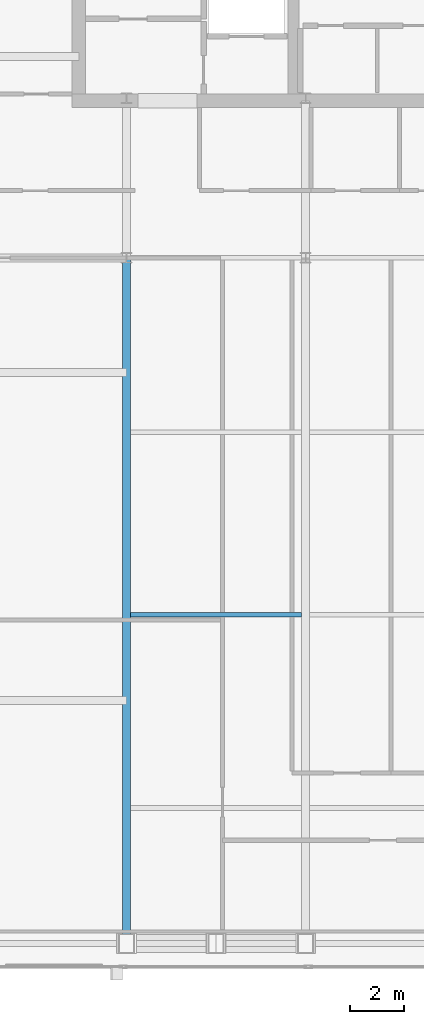
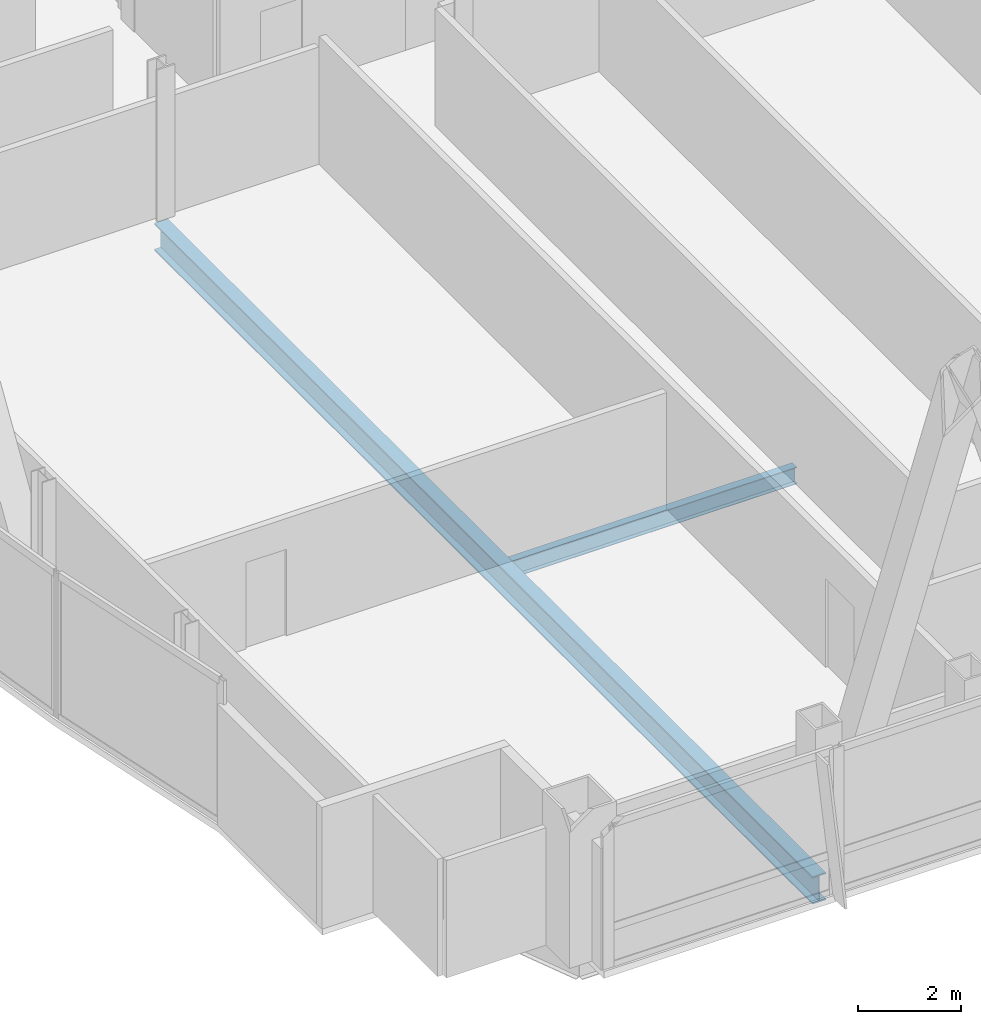
# One storey, part 7 of 31: 2 beams.
"""IFC4 building model written with IfcOpenShell, lengths in metres."""

from ifc_helpers import new_model, si_unit, direction, frame, origin, origin_2d, place, context, subcontext, project, spatial, i_section, extrude, material, material_profile, profile_set, type_object, element, save


model = new_model("IFC4")

# Units and contexts
model_context = context("Model", 3, precision=1e-05, world=origin(), true_north=direction((0.0, 1.0)))
body_context = subcontext(model_context, "Body", "Model", "MODEL_VIEW")
ifc_project = project(units=[si_unit("LENGTHUNIT", "METRE"), si_unit("AREAUNIT", "SQUARE_METRE"), si_unit("VOLUMEUNIT", "CUBIC_METRE"), si_unit("PLANEANGLEUNIT", "RADIAN"), si_unit("MASSUNIT", "GRAM", prefix="KILO")], contexts=[model_context])

# Site, building, storey
site_placement = place(None, origin())
site = spatial("IfcSite", under=ifc_project, at=site_placement, CompositionType="ELEMENT")
building_placement = place(site_placement, origin())
building = spatial("IfcBuilding", under=site, at=building_placement, Name="Khoronbel Lancet Exchange", CompositionType="ELEMENT")
storey_placement = place(building_placement, frame((0.0, 0.0, 273.39990234375)))
storey = spatial("IfcBuildingStorey", under=building, at=storey_placement, Name="L70", CompositionType="ELEMENT", Elevation=273.39990234375)

# Beams
ifc_material = material(Name="Steel S355", Category="steel")
ifc_material_profile_1 = material_profile(ifc_material, i_section(OverallWidth=0.300048828125, OverallDepth=0.64990234375, WebThickness=0.01611328125, FlangeThickness=0.031005859375, at=origin_2d()), Name="HEB 650")
ifc_profile_set_1 = profile_set([ifc_material_profile_1], Name="Steel S355")
beam_type_1 = type_object("IfcBeamType", Name="BM-BG4", PredefinedType="BEAM", material=ifc_profile_set_1)
beam_1_placement = place(storey_placement, frame((18.22509765625, 10.14990234375, -0.48486328125), z_axis=(0.0, 1.0, 0.0), x_axis=(-1.0, 0.0, 0.0)))
element("IfcBeam", 1, at=beam_1_placement, inside=storey, type_object=beam_type_1, Name="Level L70 south primary girder GS1", PredefinedType="BEAM", context=body_context, shape_type="SweptSolid", body=[
    extrude(i_section(OverallWidth=0.300048828125, OverallDepth=0.64990234375, WebThickness=0.01611328125, FlangeThickness=0.031005859375, at=origin_2d()), origin(), (0.0, 0.0, 1.0), 25.550048828125),
])
ifc_material_profile_2 = material_profile(ifc_material, i_section(OverallWidth=0.179931640625, OverallDepth=0.39990234375, WebThickness=0.008544921875, FlangeThickness=0.013427734375, at=origin_2d()), Name="IPE 400")
ifc_profile_set_2 = profile_set([ifc_material_profile_2], Name="Steel S355")
beam_type_2 = type_object("IfcBeamType", Name="BM-BJ5", PredefinedType="JOIST", material=ifc_profile_set_2)
beam_2_placement = place(storey_placement, frame((18.375, 22.39990234375, -0.35986328125), z_axis=(1.0, 0.0, 0.0), x_axis=(0.0, 1.0, 0.0)))
element("IfcBeam", 2, at=beam_2_placement, inside=storey, type_object=beam_type_2, Name="Level L70 secondary composite joist J06", PredefinedType="JOIST", context=body_context, shape_type="SweptSolid", body=[
    extrude(i_section(OverallWidth=0.179931640625, OverallDepth=0.39990234375, WebThickness=0.008544921875, FlangeThickness=0.013427734375, at=origin_2d()), origin(), (0.0, 0.0, 1.0), 6.375),
])

save(model, "model.ifc")
